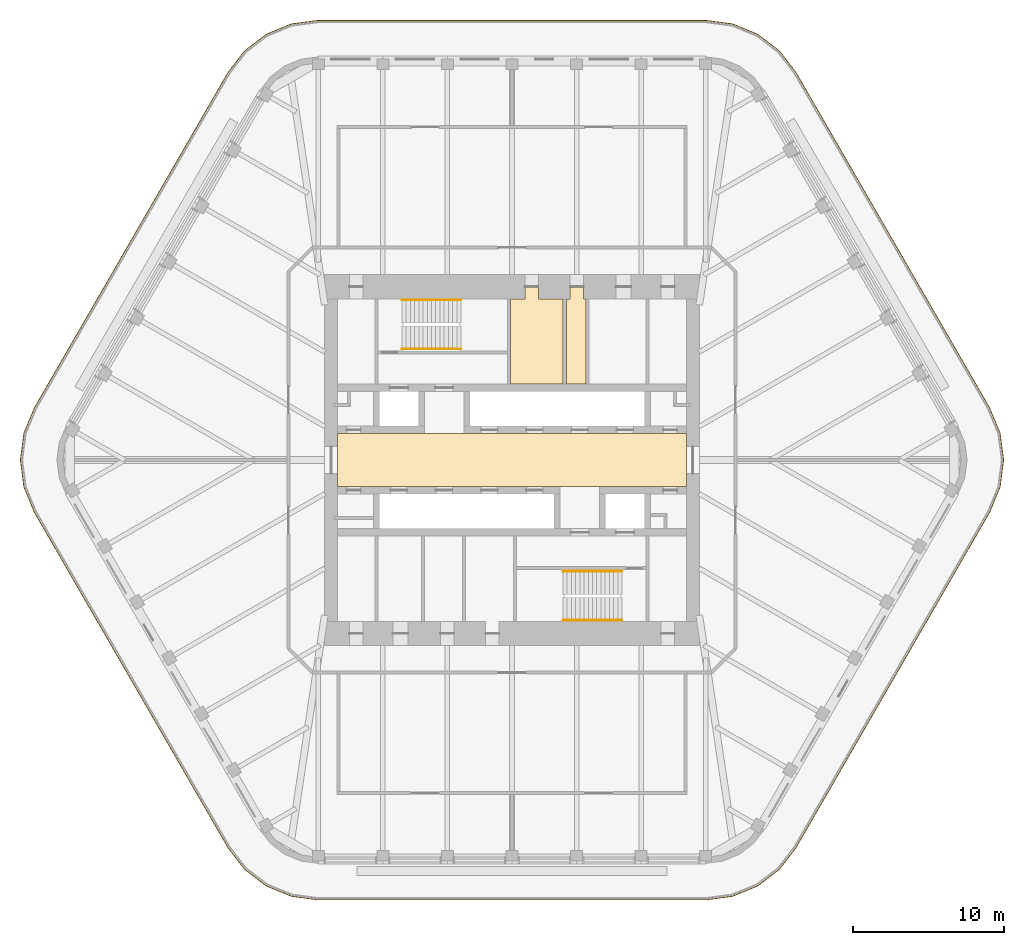
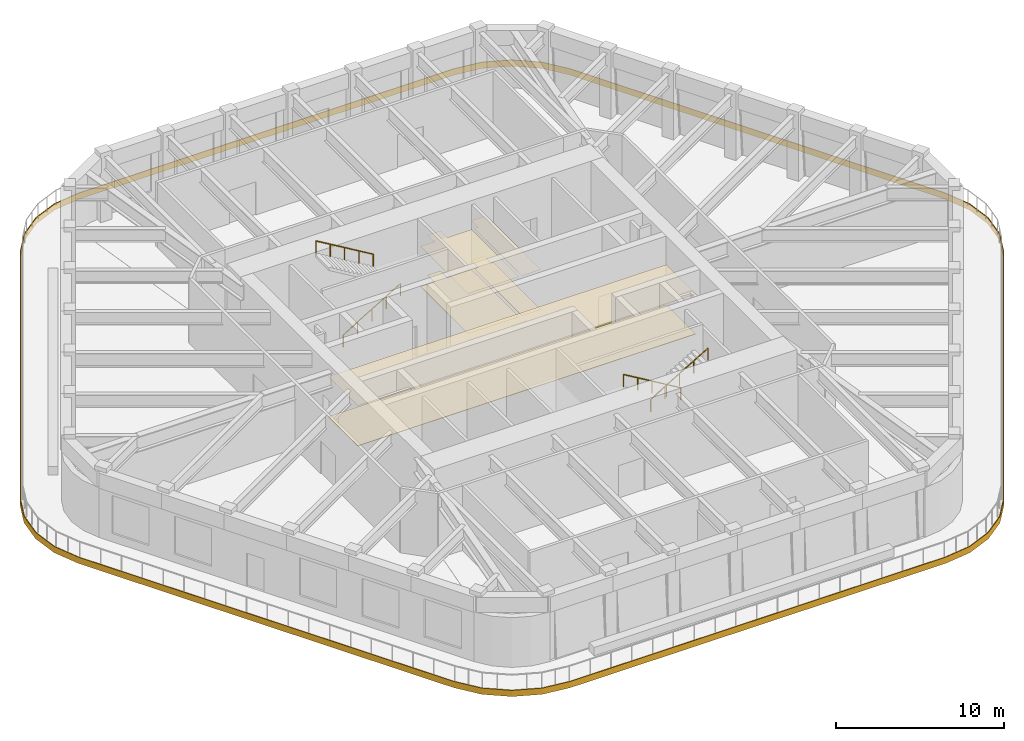
# One storey, part 12 of 13: 7 coverings, 4 railings.
"""IFC4 building model written with IfcOpenShell, lengths in metres."""

from ifc_helpers import new_model, si_unit, direction, frame, origin, origin_2d, place, context, subcontext, project, spatial, polyline, circle, outline, extrude, material, layer, layer_set, type_object, element, save


model = new_model("IFC4")

# Units and contexts
model_context = context("Model", 3, precision=1e-05, world=origin(), true_north=direction((0.0, 1.0)))
body_context = subcontext(model_context, "Body", "Model", "MODEL_VIEW")
ifc_project = project(units=[si_unit("LENGTHUNIT", "METRE"), si_unit("AREAUNIT", "SQUARE_METRE"), si_unit("VOLUMEUNIT", "CUBIC_METRE"), si_unit("PLANEANGLEUNIT", "RADIAN"), si_unit("MASSUNIT", "GRAM", prefix="KILO")], contexts=[model_context])

# Site, building, storey
site_placement = place(None, origin())
site = spatial("IfcSite", under=ifc_project, at=site_placement, CompositionType="ELEMENT")
building_placement = place(site_placement, origin())
building = spatial("IfcBuilding", under=site, at=building_placement, Name="Tarfa Lantern Tower", CompositionType="ELEMENT")
storey_placement = place(building_placement, frame((0.0, 0.0, 391.300048828125)))
storey = spatial("IfcBuildingStorey", under=building, at=storey_placement, Name="L89", CompositionType="ELEMENT", Elevation=391.300048828125)

# Coverings
ifc_material_1 = material(Name="Moisture-resistant plasterboard", Category="finish")
ifc_layer_1 = layer(ifc_material_1, 0.014892578125)
ifc_layer_set_1 = layer_set([ifc_layer_1], Name="CL2 MOISTURE-RESISTANT PLASTERBOARD CEILING 15")
covering_type_1 = type_object("IfcCoveringType", Name="CL2 MOISTURE-RESISTANT PLASTERBOARD CEILING 15", PredefinedType="CEILING", material=ifc_layer_set_1)
covering_1_placement = place(storey_placement, frame((0.0, 0.0, 2.89990234375)))
element("IfcCovering", 1, at=covering_1_placement, inside=storey, type_object=covering_type_1, Name="Ceiling L89-05", PredefinedType="CEILING", context=body_context, shape_type="SweptSolid", body=[
    extrude(outline(polyline([(0.85009765625, 10.699951171875), (-0.10009765625, 10.699951171875), (-0.10009765625, 5.050048828125), (3.39990234375, 5.050048828125), (3.39990234375, 10.699951171875), (1.75, 10.699951171875), (1.75, 11.5), (0.85009765625, 11.5), (0.85009765625, 11.5), (0.85009765625, 10.699951171875)])), origin(), (0.0, 0.0, 1.0), 0.01513671875),
])
covering_2_placement = place(storey_placement, frame((0.0, 0.0, 2.89990234375)))
element("IfcCovering", 2, at=covering_2_placement, inside=storey, type_object=covering_type_1, Name="Ceiling L89-06", PredefinedType="CEILING", context=body_context, shape_type="SweptSolid", body=[
    extrude(outline(polyline([(3.60009765625, 5.050048828125), (4.89990234375, 5.050048828125), (4.89990234375, 10.699951171875), (4.75, 10.699951171875), (4.75, 11.5), (3.85009765625, 11.5), (3.85009765625, 10.699951171875), (3.60009765625, 10.699951171875), (3.60009765625, 5.050048828125)])), origin(), (0.0, 0.0, 1.0), 0.01513671875),
])
ifc_material_2 = material(Name="Powder-coated aluminium panel", Category="aluminium")
ifc_layer_2 = layer(ifc_material_2, 0.030029296875)
ifc_layer_set_2 = layer_set([ifc_layer_2], Name="CL3 METAL PANEL CEILING 30")
covering_type_2 = type_object("IfcCoveringType", Name="CL3 METAL PANEL CEILING 30", PredefinedType="CEILING", material=ifc_layer_set_2)
covering_3_placement = place(storey_placement, frame((0.0, 0.0, 2.89990234375)))
element("IfcCovering", 3, at=covering_3_placement, inside=storey, type_object=covering_type_2, Name="Ceiling L89-01", PredefinedType="CEILING", context=body_context, shape_type="SweptSolid", body=[
    extrude(outline(polyline([(-11.574951171875, -1.75), (11.574951171875, -1.75), (11.574951171875, 1.75), (-11.574951171875, 1.75), (-11.574951171875, -1.75)])), origin(), (0.0, 0.0, 1.0), 0.030029296875),
])
ifc_material_3 = material(Name="Honed limestone flooring", Category="masonry")
ifc_layer_3 = layer(ifc_material_3, 0.030029296875)
ifc_layer_set_3 = layer_set([ifc_layer_3], Name="FL2 STONE FLOORING 30")
covering_type_3 = type_object("IfcCoveringType", Name="FL2 STONE FLOORING 30", PredefinedType="FLOORING", material=ifc_layer_set_3)
covering_4_placement = place(storey_placement, origin())
element("IfcCovering", 4, at=covering_4_placement, inside=storey, type_object=covering_type_3, Name="Floor finish L89-01", PredefinedType="FLOORING", context=body_context, shape_type="SweptSolid", body=[
    extrude(outline(polyline([(-11.574951171875, -1.75), (11.574951171875, -1.75), (11.574951171875, 1.75), (-11.574951171875, 1.75), (-11.574951171875, -1.75)])), origin(), (0.0, 0.0, 1.0), 0.030029296875),
])
ifc_material_4 = material(Name="Porcelain floor tile", Category="finish")
ifc_layer_4 = layer(ifc_material_4, 0.011962890625)
ifc_layer_set_4 = layer_set([ifc_layer_4], Name="FL3 CERAMIC TILE 12")
covering_type_4 = type_object("IfcCoveringType", Name="FL3 CERAMIC TILE 12", PredefinedType="FLOORING", material=ifc_layer_set_4)
covering_5_placement = place(storey_placement, origin())
element("IfcCovering", 5, at=covering_5_placement, inside=storey, type_object=covering_type_4, Name="Floor finish L89-05", PredefinedType="FLOORING", context=body_context, shape_type="SweptSolid", body=[
    extrude(outline(polyline([(0.85009765625, 10.699951171875), (-0.10009765625, 10.699951171875), (-0.10009765625, 5.050048828125), (3.39990234375, 5.050048828125), (3.39990234375, 10.699951171875), (1.75, 10.699951171875), (1.75, 11.5), (0.85009765625, 11.5), (0.85009765625, 11.5), (0.85009765625, 10.699951171875)])), origin(), (0.0, 0.0, 1.0), 0.011962890625),
])
covering_6_placement = place(storey_placement, origin())
element("IfcCovering", 6, at=covering_6_placement, inside=storey, type_object=covering_type_4, Name="Floor finish L89-06", PredefinedType="FLOORING", context=body_context, shape_type="SweptSolid", body=[
    extrude(outline(polyline([(3.60009765625, 5.050048828125), (4.89990234375, 5.050048828125), (4.89990234375, 10.699951171875), (4.75, 10.699951171875), (4.75, 11.5), (3.85009765625, 11.5), (3.85009765625, 10.699951171875), (3.60009765625, 10.699951171875), (3.60009765625, 5.050048828125)])), origin(), (0.0, 0.0, 1.0), 0.011962890625),
])

# Railings
ifc_material_5 = material(Name="Stainless steel", Category="steel")
railing_type = type_object("IfcRailingType", Name="HR1 HANDRAIL 900", PredefinedType="HANDRAIL", material=ifc_material_5)
railing_1_placement = place(storey_placement, frame((-7.300048828125, 7.3798828125, 0.16650390625)))
element("IfcRailing", 7, at=railing_1_placement, inside=storey, type_object=railing_type, Name="Handrail 1", PredefinedType="HANDRAIL", context=body_context, shape_type="SweptSolid", body=[
    extrude(circle(Radius=0.02392578125, at=origin_2d()), frame((0.0, 0.0, 0.8759765625), z_axis=(0.859286724212, 0.0, 0.511494208758), x_axis=(0.0, 1.0, 0.0)), (0.0, 0.0, 1.0), 4.56201171875),
    extrude(circle(Radius=0.02099609375, at=origin_2d()), frame((0.0, 0.0, 0.0), z_axis=(0.0, 0.0, 1.0), x_axis=(0.0, 1.0, 0.0)), (0.0, 0.0, 1.0), 0.851806640625),
    extrude(circle(Radius=0.02099609375, at=origin_2d()), frame((0.97998046875, 0.0, 0.58349609375), z_axis=(0.0, 0.0, 1.0), x_axis=(0.0, 1.0, 0.0)), (0.0, 0.0, 1.0), 0.851806640625),
    extrude(circle(Radius=0.02099609375, at=origin_2d()), frame((1.9599609375, 0.0, 1.166748046875), z_axis=(0.0, 0.0, 1.0), x_axis=(0.0, 1.0, 0.0)), (0.0, 0.0, 1.0), 0.851806640625),
    extrude(circle(Radius=0.02099609375, at=origin_2d()), frame((2.940185546875, 0.0, 1.75), z_axis=(0.0, 0.0, 1.0), x_axis=(0.0, 1.0, 0.0)), (0.0, 0.0, 1.0), 0.851806640625),
    extrude(circle(Radius=0.02099609375, at=origin_2d()), frame((3.920166015625, 0.0, 2.33349609375), z_axis=(0.0, 0.0, 1.0), x_axis=(0.0, 1.0, 0.0)), (0.0, 0.0, 1.0), 0.851806640625),
])
for number, where, name in (
    (8, (-3.3798828125, 10.6201171875, 2.66650390625), "Handrail 2"),
    (9, (7.300048828125, -7.3798828125, 0.16650390625), "Handrail 1"),
):
    element("IfcRailing", number, at=place(storey_placement, frame(where)), inside=storey, type_object=railing_type, Name=name, PredefinedType="HANDRAIL", context=body_context, shape_type="SweptSolid", body=[
        extrude(circle(Radius=0.02392578125, at=origin_2d()), frame((0.0, 0.0, 0.8759765625), z_axis=(-0.859286724212, 0.0, 0.511494208758), x_axis=(0.0, -1.0, 0.0)), (0.0, 0.0, 1.0), 4.56201171875),
        extrude(circle(Radius=0.02099609375, at=origin_2d()), frame((0.0, 0.0, 0.0), z_axis=(0.0, 0.0, 1.0), x_axis=(0.0, -1.0, 0.0)), (0.0, 0.0, 1.0), 0.851806640625),
        extrude(circle(Radius=0.02099609375, at=origin_2d()), frame((-0.97998046875, 0.0, 0.58349609375), z_axis=(0.0, 0.0, 1.0), x_axis=(0.0, -1.0, 0.0)), (0.0, 0.0, 1.0), 0.851806640625),
        extrude(circle(Radius=0.02099609375, at=origin_2d()), frame((-1.9599609375, 0.0, 1.166748046875), z_axis=(0.0, 0.0, 1.0), x_axis=(0.0, -1.0, 0.0)), (0.0, 0.0, 1.0), 0.851806640625),
        extrude(circle(Radius=0.02099609375, at=origin_2d()), frame((-2.940185546875, 0.0, 1.75), z_axis=(0.0, 0.0, 1.0), x_axis=(0.0, -1.0, 0.0)), (0.0, 0.0, 1.0), 0.851806640625),
        extrude(circle(Radius=0.02099609375, at=origin_2d()), frame((-3.920166015625, 0.0, 2.33349609375), z_axis=(0.0, 0.0, 1.0), x_axis=(0.0, -1.0, 0.0)), (0.0, 0.0, 1.0), 0.851806640625),
    ])
railing_2_placement = place(storey_placement, frame((3.3798828125, -10.6201171875, 2.66650390625)))
element("IfcRailing", 10, at=railing_2_placement, inside=storey, type_object=railing_type, Name="Handrail 2", PredefinedType="HANDRAIL", context=body_context, shape_type="SweptSolid", body=[
    extrude(circle(Radius=0.02392578125, at=origin_2d()), frame((0.0, 0.0, 0.8759765625), z_axis=(0.859286724212, 0.0, 0.511494208758), x_axis=(0.0, 1.0, 0.0)), (0.0, 0.0, 1.0), 4.56201171875),
    extrude(circle(Radius=0.02099609375, at=origin_2d()), frame((0.0, 0.0, 0.0), z_axis=(0.0, 0.0, 1.0), x_axis=(0.0, 1.0, 0.0)), (0.0, 0.0, 1.0), 0.851806640625),
    extrude(circle(Radius=0.02099609375, at=origin_2d()), frame((0.97998046875, 0.0, 0.58349609375), z_axis=(0.0, 0.0, 1.0), x_axis=(0.0, 1.0, 0.0)), (0.0, 0.0, 1.0), 0.851806640625),
    extrude(circle(Radius=0.02099609375, at=origin_2d()), frame((1.9599609375, 0.0, 1.166748046875), z_axis=(0.0, 0.0, 1.0), x_axis=(0.0, 1.0, 0.0)), (0.0, 0.0, 1.0), 0.851806640625),
    extrude(circle(Radius=0.02099609375, at=origin_2d()), frame((2.940185546875, 0.0, 1.75), z_axis=(0.0, 0.0, 1.0), x_axis=(0.0, 1.0, 0.0)), (0.0, 0.0, 1.0), 0.851806640625),
    extrude(circle(Radius=0.02099609375, at=origin_2d()), frame((3.920166015625, 0.0, 2.33349609375), z_axis=(0.0, 0.0, 1.0), x_axis=(0.0, 1.0, 0.0)), (0.0, 0.0, 1.0), 0.851806640625),
])

# Covering
ifc_material_6 = material(Name="Limestone cladding on brackets", Category="masonry")
ifc_layer_5 = layer(ifc_material_6, 0.050048828125)
ifc_layer_set_5 = layer_set([ifc_layer_5], Name="SB1 STONE BAND CLADDING 50")
covering_type_5 = type_object("IfcCoveringType", Name="SB1 STONE BAND CLADDING 50", PredefinedType="CLADDING", material=ifc_layer_set_5)
covering_7_placement = place(storey_placement, frame((0.0, 0.0, -0.400146484375)))
element("IfcCovering", 11, at=covering_7_placement, inside=storey, type_object=covering_type_5, Name="Stone band", PredefinedType="CLADDING", context=body_context, shape_type="SweptSolid", body=[
    extrude(outline(polyline([(31.7109375, 3.47509765625), (18.864990234375, 25.72509765625), (17.760498046875, 27.164306640625), (16.321044921875, 28.268798828125), (14.644775390625, 28.963134765625), (12.845947265625, 29.199951171875), (-12.845947265625, 29.199951171875), (-14.644775390625, 28.963134765625), (-16.321044921875, 28.268798828125), (-17.760498046875, 27.164306640625), (-18.864990234375, 25.72509765625), (-31.7109375, 3.47509765625), (-32.4052734375, 1.798828125), (-32.64208984375, 0.0), (-32.4052734375, -1.798828125), (-31.7109375, -3.47509765625), (-18.864990234375, -25.72509765625), (-17.760498046875, -27.164306640625), (-16.321044921875, -28.268798828125), (-14.644775390625, -28.963134765625), (-12.845947265625, -29.199951171875), (12.845947265625, -29.199951171875), (14.644775390625, -28.963134765625), (16.321044921875, -28.268798828125), (17.760498046875, -27.164306640625), (18.864990234375, -25.72509765625), (31.7109375, -3.47509765625), (32.4052734375, -1.798828125), (32.64208984375, 0.0), (32.4052734375, 1.798828125), (31.7109375, 3.47509765625)]), holes=[polyline([(31.667724609375, 3.449951171875), (18.821533203125, 25.699951171875), (17.72509765625, 27.129150390625), (16.296142578125, 28.2255859375), (14.6318359375, 28.914794921875), (12.845947265625, 29.14990234375), (-12.845947265625, 29.14990234375), (-14.6318359375, 28.914794921875), (-16.296142578125, 28.2255859375), (-17.72509765625, 27.129150390625), (-18.821533203125, 25.699951171875), (-31.667724609375, 3.449951171875), (-32.35693359375, 1.785888671875), (-32.592041015625, 0.0), (-32.35693359375, -1.785888671875), (-31.667724609375, -3.449951171875), (-18.821533203125, -25.699951171875), (-17.72509765625, -27.129150390625), (-16.296142578125, -28.2255859375), (-14.6318359375, -28.914794921875), (-12.845947265625, -29.14990234375), (12.845947265625, -29.14990234375), (14.6318359375, -28.914794921875), (16.296142578125, -28.2255859375), (17.72509765625, -27.129150390625), (18.821533203125, -25.699951171875), (31.667724609375, -3.449951171875), (32.35693359375, -1.785888671875), (32.592041015625, 0.0), (32.35693359375, 1.785888671875), (31.667724609375, 3.449951171875)])]), origin(), (0.0, 0.0, 1.0), 0.4501953125),
])

save(model, "model.ifc")
